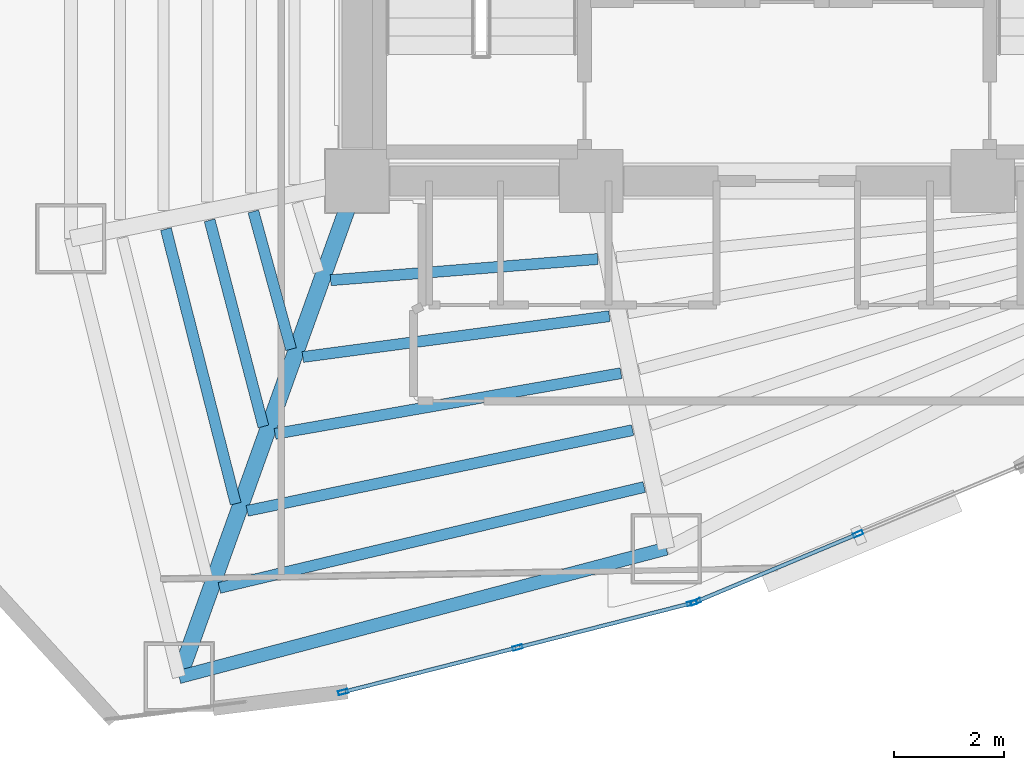
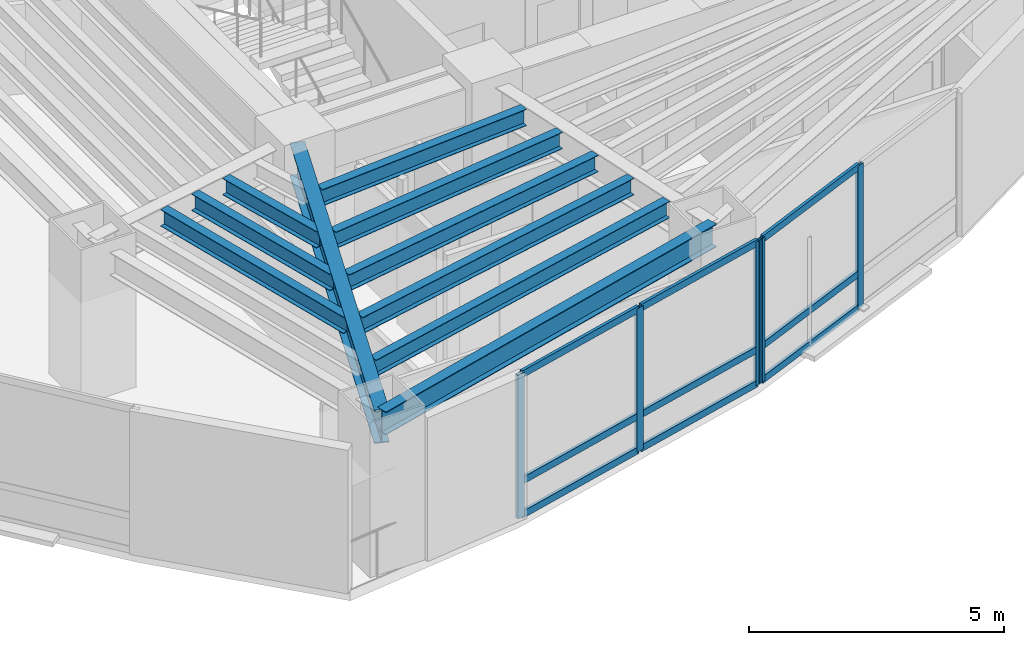
# One storey, part 5 of 25: 14 members, 10 beams, 2 elements without a shape of their own.
"""IFC4 building model written with IfcOpenShell, lengths in metres."""

import ifcopenshell
import ifcopenshell.guid

model = None  # the IFC model being written
_history = None  # IfcOwnerHistory: only IFC2X3 demands one
_inside = {}  # id of a spatial element -> (the spatial element, [elements in it])
_under = {}  # id of a project, library or spatial element -> (it, [spatial elements below it])
_declared = {}  # id of a project -> (the project, [libraries it declares])
_typed = {}  # id of a type object -> (the type object, [elements of that type])
_made_of = {}  # id of a material, layer set ... -> (it, [elements and type objects made of it])


def new_model(schema):
    """Start an empty IFC model of exactly this schema.

    Asked for "IFC4X3", IfcOpenShell would pick the latest addendum, in which some entities
    have other attributes; the version numbers below select the first issue.
    IFC2X3 requires an IfcOwnerHistory on every rooted entity: one is made here for all.
    """
    global model, _history
    if schema == "IFC4X3":
        model = ifcopenshell.file(schema_version=(4, 3, 0, 0))
    else:
        model = ifcopenshell.file(schema=schema)
    _inside.clear()
    _under.clear()
    _declared.clear()
    _typed.clear()
    _made_of.clear()
    _history = None
    if model.schema == "IFC2X3":
        org = make("IfcOrganization", Name="unknown")
        user = make(
            "IfcPersonAndOrganization",
            ThePerson=make("IfcPerson", FamilyName="unknown"),
            TheOrganization=org,
        )
        app = make(
            "IfcApplication",
            ApplicationDeveloper=org,
            Version="unknown",
            ApplicationFullName="unknown",
            ApplicationIdentifier="unknown",
        )
        _history = make(
            "IfcOwnerHistory",
            OwningUser=user,
            OwningApplication=app,
            ChangeAction="ADDED",
            CreationDate=0,
        )
    return model


def make(cls, **values):
    """One entity of the class cls with the attributes given. An attribute that is None is left unset."""
    return model.create_entity(
        cls, **{name: value for name, value in values.items() if value is not None}
    )


def rooted(cls, **values):
    """An entity with a GlobalId (a new one), such as an element, a storey or a relation."""
    return make(cls, GlobalId=ifcopenshell.guid.new(), OwnerHistory=_history, **values)


def si_unit(unit_type, name, prefix=None):
    """IfcSIUnit, for example si_unit("LENGTHUNIT", "METRE", prefix="MILLI")."""
    return make("IfcSIUnit", UnitType=unit_type, Prefix=prefix, Name=name)


def assignment(units):
    """IfcUnitAssignment: the units of a project."""
    return None if units is None else make("IfcUnitAssignment", Units=units)


def point(xyz):
    """IfcCartesianPoint."""
    return None if xyz is None else make("IfcCartesianPoint", Coordinates=xyz)


def direction(xyz):
    """IfcDirection."""
    return None if xyz is None else make("IfcDirection", DirectionRatios=xyz)


def frame(location, z_axis=None, x_axis=None):
    """IfcAxis2Placement3D, a coordinate frame: its origin and axes. An axis left out is left unset."""
    return make(
        "IfcAxis2Placement3D",
        Location=point(location),
        Axis=direction(z_axis),
        RefDirection=direction(x_axis),
    )


def frame_2d(location, x_axis=None):
    """IfcAxis2Placement2D, a coordinate frame in the plane: its origin and x axis."""
    return make(
        "IfcAxis2Placement2D", Location=point(location), RefDirection=direction(x_axis)
    )


def origin():
    """The frame at (0, 0, 0) with its axes left unset."""
    return frame((0.0, 0.0, 0.0))


def origin_2d():
    """The frame at (0, 0) in the plane with its x axis left unset."""
    return frame_2d((0.0, 0.0))


def place(relative_to, where):
    """IfcLocalPlacement: puts the frame where relative to a parent placement (None: the world)."""
    return make(
        "IfcLocalPlacement", PlacementRelTo=relative_to, RelativePlacement=where
    )


def context(
    kind, dimensions, precision=None, world=None, true_north=None, identifier=None
):
    """IfcGeometricRepresentationContext, for example the 3D "Model" context."""
    return make(
        "IfcGeometricRepresentationContext",
        ContextIdentifier=identifier,
        ContextType=kind,
        CoordinateSpaceDimension=dimensions,
        Precision=precision,
        WorldCoordinateSystem=world,
        TrueNorth=true_north,
    )


def subcontext(parent, identifier, kind, view, scale=None):
    """IfcGeometricRepresentationSubContext, for example "Body" below "Model"."""
    return make(
        "IfcGeometricRepresentationSubContext",
        ContextIdentifier=identifier,
        ContextType=kind,
        ParentContext=parent,
        TargetScale=scale,
        TargetView=view,
    )


def project(units=None, contexts=None):
    """IfcProject with its units and contexts."""
    return rooted(
        "IfcProject",
        Name="project",
        RepresentationContexts=contexts,
        UnitsInContext=assignment(units),
    )


def spatial(cls, under=None, at=None, **own):
    """A site, building, storey or space (cls), placed at a placement, below another one or the project."""
    s = rooted(cls, ObjectPlacement=at, **own)
    if under is not None:
        _under.setdefault(under.id(), (under, []))[1].append(s)
    return s


def profile(cls, at=None, kind="AREA", **sizes):
    """A parametric profile (cls). Its sizes go by their IFC names, for example OverallWidth=200.0."""
    return make(cls, ProfileType=kind, Position=at, **sizes)


def hollow_rectangle(**sizes):
    """IfcRectangleHollowProfileDef."""
    return profile("IfcRectangleHollowProfileDef", **sizes)


def i_section(**sizes):
    """IfcIShapeProfileDef."""
    return profile("IfcIShapeProfileDef", **sizes)


def extrude(swept, where, along, depth):
    """IfcExtrudedAreaSolid: the profile swept, set in the frame where, extruded along a direction by depth."""
    return make(
        "IfcExtrudedAreaSolid",
        SweptArea=swept,
        Position=where,
        ExtrudedDirection=direction(along),
        Depth=depth,
    )


def shape(context_of_items, identifier, shape_type, items):
    """IfcShapeRepresentation: the items that make up one representation, for example the "Body"."""
    return make(
        "IfcShapeRepresentation",
        ContextOfItems=context_of_items,
        RepresentationIdentifier=identifier,
        RepresentationType=shape_type,
        Items=items,
    )


def material(Name=None, Category=None):
    """IfcMaterial."""
    return make("IfcMaterial", Name=Name, Category=Category)


def layer(
    of_material, thickness, ventilated=None, Name=None, Category=None, Priority=None
):
    """IfcMaterialLayer: one layer of a wall or slab, of a material (None: an air gap)."""
    return make(
        "IfcMaterialLayer",
        Material=of_material,
        LayerThickness=thickness,
        IsVentilated=ventilated,
        Name=Name,
        Category=Category,
        Priority=Priority,
    )


def layer_set(layers, Name=None):
    """IfcMaterialLayerSet."""
    return make("IfcMaterialLayerSet", MaterialLayers=layers, LayerSetName=Name)


def material_profile(
    of_material, cross_section, Name=None, Category=None, Priority=None
):
    """IfcMaterialProfile: a cross section and its material."""
    return make(
        "IfcMaterialProfile",
        Name=Name,
        Material=of_material,
        Profile=cross_section,
        Priority=Priority,
        Category=Category,
    )


def profile_set(profiles, Name=None, composite=None):
    """IfcMaterialProfileSet."""
    return make(
        "IfcMaterialProfileSet",
        Name=Name,
        MaterialProfiles=profiles,
        CompositeProfile=composite,
    )


def made_of(thing, what):
    """Note that an element or type object is made of a material, layer set ...; save() writes the relation."""
    if what is not None:
        _made_of.setdefault(what.id(), (what, []))[1].append(thing)
    return thing


def type_object(cls, material=None, **own):
    """A type object (cls), such as IfcWallType, which elements share."""
    return made_of(rooted(cls, **own), material)


def element(
    cls,
    number,
    at=None,
    inside=None,
    cuts=None,
    type_object=None,
    material=None,
    context=None,
    identifier="Body",
    shape_type=None,
    held_by="IfcProductDefinitionShape",
    body=None,
    shapes=None,
    **own,
):
    """One element of the class cls, such as IfcWall. Its Tag is "e" and its number.

    at: its placement. inside: the storey or other place that contains it. cuts: it is an
    opening in that element (IfcRelVoidsElement). A single representation is given by context,
    identifier, shape_type and body (its items); several are given by shapes. held_by: the class
    of the entity that holds the representations. save() writes the other relations.
    """
    e = rooted(cls, Tag="e%d" % number, ObjectPlacement=at, **own)
    if body is not None:
        shapes = [shape(context, identifier, shape_type, body)]
    if shapes is not None:
        e.Representation = make(held_by, Representations=shapes)
    if inside is not None:
        _inside.setdefault(inside.id(), (inside, []))[1].append(e)
    if cuts is not None:
        rooted(
            "IfcRelVoidsElement", RelatingBuildingElement=cuts, RelatedOpeningElement=e
        )
    if type_object is not None:
        _typed.setdefault(type_object.id(), (type_object, []))[1].append(e)
    return made_of(e, material)


def aggregate(whole, parts):
    """IfcRelAggregates: a whole, such as a stair, and the parts it consists of."""
    return rooted("IfcRelAggregates", RelatingObject=whole, RelatedObjects=parts)


def save(model, path):
    """Write the relations noted so far, then the file.

    IfcRelAggregates (storeys below a building ...), IfcRelContainedInSpatialStructure (elements
    in a storey), IfcRelDefinesByType, IfcRelAssociatesMaterial and IfcRelDeclares: one each for
    every whole, place, type object, material and project.
    """
    for whole, parts in _under.values():
        aggregate(whole, parts)
    for where, things in _inside.values():
        rooted(
            "IfcRelContainedInSpatialStructure",
            RelatedElements=things,
            RelatingStructure=where,
        )
    for kind, things in _typed.values():
        rooted("IfcRelDefinesByType", RelatedObjects=things, RelatingType=kind)
    for what, things in _made_of.values():
        rooted("IfcRelAssociatesMaterial", RelatedObjects=things, RelatingMaterial=what)
    for by, libraries in _declared.values():
        rooted("IfcRelDeclares", RelatingContext=by, RelatedDefinitions=libraries)
    model.write(path)


model = new_model("IFC4")

# Units and contexts
model_context = context("Model", 3, precision=1e-05, world=origin(), true_north=direction((0.0, 1.0)))
body_context = subcontext(model_context, "Body", "Model", "MODEL_VIEW")
ifc_project = project(units=[si_unit("LENGTHUNIT", "METRE"), si_unit("AREAUNIT", "SQUARE_METRE"), si_unit("VOLUMEUNIT", "CUBIC_METRE"), si_unit("PLANEANGLEUNIT", "RADIAN"), si_unit("MASSUNIT", "GRAM", prefix="KILO")], contexts=[model_context])

# Site, building, storey
site_placement = place(None, origin())
site = spatial("IfcSite", under=ifc_project, at=site_placement, CompositionType="ELEMENT")
building_placement = place(site_placement, origin())
building = spatial("IfcBuilding", under=site, at=building_placement, Name="Menara Vayukalpa", CompositionType="ELEMENT")
storey_placement = place(building_placement, frame((0.0, 0.0, 115.139892578125)))
storey = spatial("IfcBuildingStorey", under=building, at=storey_placement, Name="L28", CompositionType="ELEMENT", Elevation=115.139892578125)

# Beams
ifc_material_1 = material(Name="Steel S355", Category="steel")
ifc_material_profile_1 = material_profile(ifc_material_1, i_section(OverallWidth=0.300048828125, OverallDepth=0.800048828125, WebThickness=0.013916015625, FlangeThickness=0.02587890625, at=origin_2d()), Name="WF 800x300x14x26")
ifc_profile_set_1 = profile_set([ifc_material_profile_1], Name="Steel S355")
beam_type_1 = type_object("IfcBeamType", Name="BM-PG3", PredefinedType="BEAM", material=ifc_profile_set_1)
beam_1_placement = place(storey_placement, frame((17.715576171875, 16.964599609375, 3.0400390625), z_axis=(-0.337975542909, -0.941154892882, 0.0), x_axis=(0.941154892882, -0.337975542909, 0.0)))
element("IfcBeam", 1, at=beam_1_placement, inside=storey, type_object=beam_type_1, Name="L28 Primary Radial Girder RG07", PredefinedType="BEAM", context=body_context, shape_type="SweptSolid", body=[
    extrude(i_section(OverallWidth=0.300048828125, OverallDepth=0.800048828125, WebThickness=0.013916015625, FlangeThickness=0.02587890625, at=origin_2d()), origin(), (0.0, 0.0, 1.0), 9.309814453125),
])
ifc_material_2 = material(Name="Steel S355", Category="steel")
ifc_material_profile_2 = material_profile(ifc_material_2, i_section(OverallWidth=0.199951171875, OverallDepth=0.39990234375, WebThickness=0.008056640625, FlangeThickness=0.012939453125, at=origin_2d()), Name="WF 400x200x8x13")
ifc_profile_set_2 = profile_set([ifc_material_profile_2], Name="Steel S355")
beam_type_2 = type_object("IfcBeamType", Name="BM-SJ2", PredefinedType="JOIST", material=ifc_profile_set_2)
beam_2_placement = place(storey_placement, frame((15.917236328125, 16.64794921875, 3.239990234375), z_axis=(0.263922858843, -0.964543790908, 0.0), x_axis=(0.964543790908, 0.263922858843, 0.0)))
element("IfcBeam", 2, at=beam_2_placement, inside=storey, type_object=beam_type_2, Name="L28 Secondary Floor Joist SJ06-2", PredefinedType="JOIST", context=body_context, shape_type="SweptSolid", body=[
    extrude(i_section(OverallWidth=0.199951171875, OverallDepth=0.39990234375, WebThickness=0.008056640625, FlangeThickness=0.012939453125, at=origin_2d()), origin(), (0.0, 0.0, 1.0), 2.590087890625),
])
beam_3_placement = place(storey_placement, frame((15.123779296875, 16.488037109375, 3.239990234375), z_axis=(0.252406469257, -0.967621296933, 0.0), x_axis=(0.967621296933, 0.252406469257, 0.0)))
element("IfcBeam", 3, at=beam_3_placement, inside=storey, type_object=beam_type_2, Name="L28 Secondary Floor Joist SJ06-3", PredefinedType="JOIST", context=body_context, shape_type="SweptSolid", body=[
    extrude(i_section(OverallWidth=0.199951171875, OverallDepth=0.39990234375, WebThickness=0.008056640625, FlangeThickness=0.012939453125, at=origin_2d()), origin(), (0.0, 0.0, 1.0), 3.865234375),
])
beam_4_placement = place(storey_placement, frame((14.330810546875, 16.328369140625, 3.239990234375), z_axis=(0.246311066692, -0.969190826631, 0.0), x_axis=(0.969190826631, 0.246311066692, 0.0)))
element("IfcBeam", 4, at=beam_4_placement, inside=storey, type_object=beam_type_2, Name="L28 Secondary Floor Joist SJ06-4", PredefinedType="JOIST", context=body_context, shape_type="SweptSolid", body=[
    extrude(i_section(OverallWidth=0.199951171875, OverallDepth=0.39990234375, WebThickness=0.008056640625, FlangeThickness=0.012939453125, at=origin_2d()), origin(), (0.0, 0.0, 1.0), 5.140380859375),
])
beam_5_placement = place(storey_placement, frame((17.318603515625, 15.40087890625, 3.239990234375), z_axis=(0.996868534468, 0.079076703187, 0.0), x_axis=(-0.079076703187, 0.996868534468, 0.0)))
element("IfcBeam", 5, at=beam_5_placement, inside=storey, type_object=beam_type_2, Name="L28 Secondary Floor Joist SJ07-1", PredefinedType="JOIST", context=body_context, shape_type="SweptSolid", body=[
    extrude(i_section(OverallWidth=0.199951171875, OverallDepth=0.39990234375, WebThickness=0.008056640625, FlangeThickness=0.012939453125, at=origin_2d()), origin(), (0.0, 0.0, 1.0), 4.862548828125),
])
beam_6_placement = place(storey_placement, frame((16.814208984375, 14.008056640625, 3.239990234375), z_axis=(0.991248408809, 0.132009817941, 0.0), x_axis=(-0.132009817941, 0.991248408809, 0.0)))
element("IfcBeam", 6, at=beam_6_placement, inside=storey, type_object=beam_type_2, Name="L28 Secondary Floor Joist SJ07-2", PredefinedType="JOIST", context=body_context, shape_type="SweptSolid", body=[
    extrude(i_section(OverallWidth=0.199951171875, OverallDepth=0.39990234375, WebThickness=0.008056640625, FlangeThickness=0.012939453125, at=origin_2d()), origin(), (0.0, 0.0, 1.0), 5.611083984375),
])
beam_7_placement = place(storey_placement, frame((16.309814453125, 12.613037109375, 3.239990234375), z_axis=(0.984953935883, 0.172817083033, 0.0), x_axis=(-0.172817083033, 0.984953935883, 0.0)))
element("IfcBeam", 7, at=beam_7_placement, inside=storey, type_object=beam_type_2, Name="L28 Secondary Floor Joist SJ07-3", PredefinedType="JOIST", context=body_context, shape_type="SweptSolid", body=[
    extrude(i_section(OverallWidth=0.199951171875, OverallDepth=0.39990234375, WebThickness=0.008056640625, FlangeThickness=0.012939453125, at=origin_2d()), origin(), (0.0, 0.0, 1.0), 6.372802734375),
])
beam_8_placement = place(storey_placement, frame((15.805419921875, 11.216552734375, 3.239990234375), z_axis=(0.978749487369, 0.205059603471, 0.0), x_axis=(-0.205059603471, 0.978749487369, 0.0)))
element("IfcBeam", 8, at=beam_8_placement, inside=storey, type_object=beam_type_2, Name="L28 Secondary Floor Joist SJ07-4", PredefinedType="JOIST", context=body_context, shape_type="SweptSolid", body=[
    extrude(i_section(OverallWidth=0.199951171875, OverallDepth=0.39990234375, WebThickness=0.008056640625, FlangeThickness=0.012939453125, at=origin_2d()), origin(), (0.0, 0.0, 1.0), 7.1435546875),
])
beam_9_placement = place(storey_placement, frame((15.30078125, 9.819091796875, 3.239990234375), z_axis=(0.97293603101, 0.231074619036, 0.0), x_axis=(-0.231074619036, 0.97293603101, 0.0)))
element("IfcBeam", 9, at=beam_9_placement, inside=storey, type_object=beam_type_2, Name="L28 Secondary Floor Joist SJ07-5", PredefinedType="JOIST", context=body_context, shape_type="SweptSolid", body=[
    extrude(i_section(OverallWidth=0.199951171875, OverallDepth=0.39990234375, WebThickness=0.008056640625, FlangeThickness=0.012939453125, at=origin_2d()), origin(), (0.0, 0.0, 1.0), 7.9208984375),
])
ifc_material_3 = material(Name="Steel S355", Category="steel")
ifc_material_profile_3 = material_profile(ifc_material_3, i_section(OverallWidth=0.239990234375, OverallDepth=0.550048828125, WebThickness=0.010986328125, FlangeThickness=0.01904296875, at=origin_2d()), Name="WF 550x240x11x19")
ifc_profile_set_3 = profile_set([ifc_material_profile_3], Name="Steel S355")
beam_type_3 = type_object("IfcBeamType", Name="BM-SP2", PredefinedType="SPANDREL", material=ifc_profile_set_3)
beam_10_placement = place(storey_placement, frame((14.569091796875, 8.20263671875, 3.1650390625), z_axis=(0.966966857313, 0.254902131921, 0.0), x_axis=(-0.254902131921, 0.966966857313, 0.0)))
element("IfcBeam", 10, at=beam_10_placement, inside=storey, type_object=beam_type_3, Name="L28 Perimeter Spandrel Beam SP07", PredefinedType="SPANDREL", context=body_context, shape_type="SweptSolid", body=[
    extrude(i_section(OverallWidth=0.239990234375, OverallDepth=0.550048828125, WebThickness=0.010986328125, FlangeThickness=0.01904296875, at=origin_2d()), origin(), (0.0, 0.0, 1.0), 9.14111328125),
])

# Curtain wall, members
ifc_material_4 = material(Name="Anodised Terracotta Aluminium Alloy 6063-T6", Category="masonry")
ifc_layer = layer(ifc_material_4, 0.179931640625)
ifc_layer_set = layer_set([ifc_layer], Name="Anodised Terracotta Aluminium Alloy 6063-T6")
curtain_wall_type = type_object("IfcCurtainWallType", Name="CW-CW4", PredefinedType="USERDEFINED", material=ifc_layer_set)
curtain_wall_1_placement = place(storey_placement, origin())
curtain_wall_1 = element("IfcCurtainWall", 11, at=curtain_wall_1_placement, inside=storey, type_object=curtain_wall_type, Name="L28 Sky Bar Cantilever Glazed Curtain Wall CW4 16", ObjectType="UNITISED", PredefinedType="USERDEFINED")
ifc_material_5 = material(Name="Anodised Terracotta Aluminium Alloy 6063-T6", Category="masonry")
ifc_material_profile_4 = material_profile(ifc_material_5, hollow_rectangle(XDim=0.074951171875, YDim=0.179931640625, WallThickness=0.00390625, at=origin_2d()), Name="ALU 75x180x4")
ifc_profile_set_4 = profile_set([ifc_material_profile_4], Name="Anodised Terracotta Aluminium Alloy 6063-T6")
member_type_1 = type_object("IfcMemberType", Name="CWM-CW4", PredefinedType="MULLION", material=ifc_profile_set_4)
member_1_placement = place(storey_placement, frame((17.546630859375, 7.93017578125, 0.0), z_axis=(0.0, 0.0, 1.0), x_axis=(-0.247130597017, 0.968982181476, 0.0)))
member_1 = element("IfcMember", 12, at=member_1_placement, type_object=member_type_1, Name="CW4 mullion 1", PredefinedType="MULLION", context=body_context, shape_type="SweptSolid", body=[
    extrude(hollow_rectangle(XDim=0.074951171875, YDim=0.179931640625, WallThickness=0.00390625, at=origin_2d()), origin(), (0.0, 0.0, 1.0), 3.440185546875),
])
member_2_placement = place(storey_placement, frame((20.708984375, 8.736572265625, 0.0), z_axis=(0.0, 0.0, 1.0), x_axis=(-0.247130597017, 0.968982181476, 0.0)))
member_2 = element("IfcMember", 13, at=member_2_placement, type_object=member_type_1, Name="CW4 mullion 2", PredefinedType="MULLION", context=body_context, shape_type="SweptSolid", body=[
    extrude(hollow_rectangle(XDim=0.074951171875, YDim=0.179931640625, WallThickness=0.00390625, at=origin_2d()), origin(), (0.0, 0.0, 1.0), 3.440185546875),
])
member_3_placement = place(storey_placement, frame((23.87109375, 9.543212890625, 0.0), z_axis=(0.0, 0.0, 1.0), x_axis=(-0.247130597017, 0.968982181476, 0.0)))
member_3 = element("IfcMember", 14, at=member_3_placement, type_object=member_type_1, Name="CW4 mullion 3", PredefinedType="MULLION", context=body_context, shape_type="SweptSolid", body=[
    extrude(hollow_rectangle(XDim=0.074951171875, YDim=0.179931640625, WallThickness=0.00390625, at=origin_2d()), origin(), (0.0, 0.0, 1.0), 3.440185546875),
])

curtain_wall_2_placement = place(storey_placement, origin())
curtain_wall_2 = element("IfcCurtainWall", 15, at=curtain_wall_2_placement, inside=storey, type_object=curtain_wall_type, Name="L28 Sky Bar Cantilever Glazed Curtain Wall CW4 17", ObjectType="UNITISED", PredefinedType="USERDEFINED")
member_4_placement = place(storey_placement, frame((23.94189453125, 9.56689453125, 0.0), z_axis=(0.0, 0.0, 1.0), x_axis=(-0.38589358437, 0.922543300632, 0.0)))
member_4 = element("IfcMember", 16, at=member_4_placement, type_object=member_type_1, Name="CW4 mullion 1", PredefinedType="MULLION", context=body_context, shape_type="SweptSolid", body=[
    extrude(hollow_rectangle(XDim=0.074951171875, YDim=0.179931640625, WallThickness=0.00390625, at=origin_2d()), origin(), (0.0, 0.0, 1.0), 3.440185546875),
])
member_5_placement = place(storey_placement, frame((26.88671875, 10.798583984375, 0.0), z_axis=(0.0, 0.0, 1.0), x_axis=(-0.38589358437, 0.922543300632, 0.0)))
member_5 = element("IfcMember", 17, at=member_5_placement, type_object=member_type_1, Name="CW4 mullion 2", PredefinedType="MULLION", context=body_context, shape_type="SweptSolid", body=[
    extrude(hollow_rectangle(XDim=0.074951171875, YDim=0.179931640625, WallThickness=0.00390625, at=origin_2d()), origin(), (0.0, 0.0, 1.0), 3.440185546875),
])

# Member
ifc_material_6 = material(Name="Anodised Terracotta Aluminium Alloy 6063-T6", Category="masonry")
ifc_material_profile_5 = material_profile(ifc_material_6, hollow_rectangle(XDim=0.070068359375, YDim=0.1650390625, WallThickness=0.00390625, at=origin_2d()), Name="ALU 70x165x4")
ifc_profile_set_5 = profile_set([ifc_material_profile_5], Name="Anodised Terracotta Aluminium Alloy 6063-T6")
member_type_2 = type_object("IfcMemberType", Name="CWT-CW4", PredefinedType="USERDEFINED", material=ifc_profile_set_5)
member_6_placement = place(storey_placement, frame((17.5830078125, 7.939453125, 0.03515625), z_axis=(0.968992251475, 0.247091109878, 0.0), x_axis=(-0.247091109878, 0.968992251475, 0.0)))
member_6 = element("IfcMember", 18, at=member_6_placement, type_object=member_type_2, Name="CW4 transom 1.1", ObjectType="TRANSOM", PredefinedType="USERDEFINED", context=body_context, shape_type="SweptSolid", body=[
    extrude(hollow_rectangle(XDim=0.070068359375, YDim=0.1650390625, WallThickness=0.00390625, at=origin_2d()), origin(), (0.0, 0.0, 1.0), 3.1884765625),
])

member_7_placement = place(storey_placement, frame((17.5830078125, 7.939453125, 0.85009765625), z_axis=(0.968992251475, 0.247091109878, 0.0), x_axis=(-0.247091109878, 0.968992251475, 0.0)))
member_7 = element("IfcMember", 19, at=member_7_placement, type_object=member_type_2, Name="CW4 transom 1.2", ObjectType="TRANSOM", PredefinedType="USERDEFINED", context=body_context, shape_type="SweptSolid", body=[
    extrude(hollow_rectangle(XDim=0.070068359375, YDim=0.1650390625, WallThickness=0.00390625, at=origin_2d()), origin(), (0.0, 0.0, 1.0), 3.1884765625),
])

member_8_placement = place(storey_placement, frame((17.5830078125, 7.939453125, 3.405029296875), z_axis=(0.968992251475, 0.247091109878, 0.0), x_axis=(-0.247091109878, 0.968992251475, 0.0)))
member_8 = element("IfcMember", 20, at=member_8_placement, type_object=member_type_2, Name="CW4 transom 1.3", ObjectType="TRANSOM", PredefinedType="USERDEFINED", context=body_context, shape_type="SweptSolid", body=[
    extrude(hollow_rectangle(XDim=0.070068359375, YDim=0.1650390625, WallThickness=0.00390625, at=origin_2d()), origin(), (0.0, 0.0, 1.0), 3.1884765625),
])

member_9_placement = place(storey_placement, frame((20.7451171875, 8.745849609375, 0.03515625), z_axis=(0.968973916069, 0.24716300285, 0.0), x_axis=(-0.24716300285, 0.968973916069, 0.0)))
member_9 = element("IfcMember", 21, at=member_9_placement, type_object=member_type_2, Name="CW4 transom 2.1", ObjectType="TRANSOM", PredefinedType="USERDEFINED", context=body_context, shape_type="SweptSolid", body=[
    extrude(hollow_rectangle(XDim=0.070068359375, YDim=0.1650390625, WallThickness=0.00390625, at=origin_2d()), origin(), (0.0, 0.0, 1.0), 3.1884765625),
])

member_10_placement = place(storey_placement, frame((20.7451171875, 8.745849609375, 0.85009765625), z_axis=(0.968973916069, 0.24716300285, 0.0), x_axis=(-0.24716300285, 0.968973916069, 0.0)))
member_10 = element("IfcMember", 22, at=member_10_placement, type_object=member_type_2, Name="CW4 transom 2.2", ObjectType="TRANSOM", PredefinedType="USERDEFINED", context=body_context, shape_type="SweptSolid", body=[
    extrude(hollow_rectangle(XDim=0.070068359375, YDim=0.1650390625, WallThickness=0.00390625, at=origin_2d()), origin(), (0.0, 0.0, 1.0), 3.1884765625),
])

member_11_placement = place(storey_placement, frame((20.7451171875, 8.745849609375, 3.405029296875), z_axis=(0.968973916069, 0.24716300285, 0.0), x_axis=(-0.24716300285, 0.968973916069, 0.0)))
member_11 = element("IfcMember", 23, at=member_11_placement, type_object=member_type_2, Name="CW4 transom 2.3", ObjectType="TRANSOM", PredefinedType="USERDEFINED", context=body_context, shape_type="SweptSolid", body=[
    extrude(hollow_rectangle(XDim=0.070068359375, YDim=0.1650390625, WallThickness=0.00390625, at=origin_2d()), origin(), (0.0, 0.0, 1.0), 3.1884765625),
])

aggregate(curtain_wall_1, [member_1, member_2, member_3, member_6, member_7, member_8, member_9, member_10, member_11])

member_12_placement = place(storey_placement, frame((23.9765625, 9.581298828125, 0.03515625), z_axis=(0.922533742775, 0.385916433236, 0.0), x_axis=(-0.385916433236, 0.922533742775, 0.0)))
member_12 = element("IfcMember", 24, at=member_12_placement, type_object=member_type_2, Name="CW4 transom 1.1", ObjectType="TRANSOM", PredefinedType="USERDEFINED", context=body_context, shape_type="SweptSolid", body=[
    extrude(hollow_rectangle(XDim=0.070068359375, YDim=0.1650390625, WallThickness=0.00390625, at=origin_2d()), origin(), (0.0, 0.0, 1.0), 3.116943359375),
])

member_13_placement = place(storey_placement, frame((23.9765625, 9.581298828125, 0.85009765625), z_axis=(0.922533742775, 0.385916433236, 0.0), x_axis=(-0.385916433236, 0.922533742775, 0.0)))
member_13 = element("IfcMember", 25, at=member_13_placement, type_object=member_type_2, Name="CW4 transom 1.2", ObjectType="TRANSOM", PredefinedType="USERDEFINED", context=body_context, shape_type="SweptSolid", body=[
    extrude(hollow_rectangle(XDim=0.070068359375, YDim=0.1650390625, WallThickness=0.00390625, at=origin_2d()), origin(), (0.0, 0.0, 1.0), 3.116943359375),
])

member_14_placement = place(storey_placement, frame((23.9765625, 9.581298828125, 3.405029296875), z_axis=(0.922533742775, 0.385916433236, 0.0), x_axis=(-0.385916433236, 0.922533742775, 0.0)))
member_14 = element("IfcMember", 26, at=member_14_placement, type_object=member_type_2, Name="CW4 transom 1.3", ObjectType="TRANSOM", PredefinedType="USERDEFINED", context=body_context, shape_type="SweptSolid", body=[
    extrude(hollow_rectangle(XDim=0.070068359375, YDim=0.1650390625, WallThickness=0.00390625, at=origin_2d()), origin(), (0.0, 0.0, 1.0), 3.116943359375),
])

aggregate(curtain_wall_2, [member_4, member_5, member_12, member_13, member_14])

save(model, "model.ifc")
